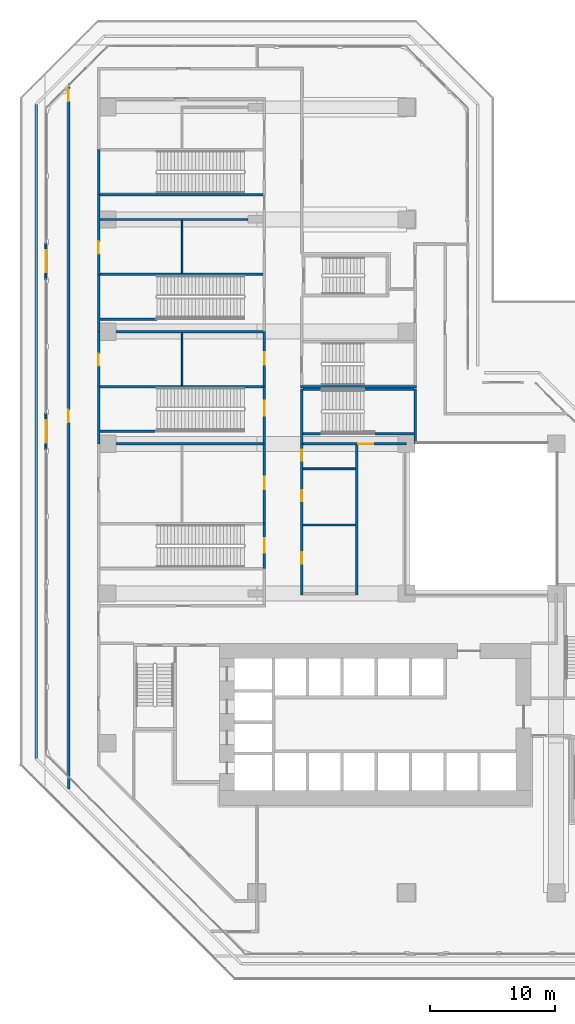
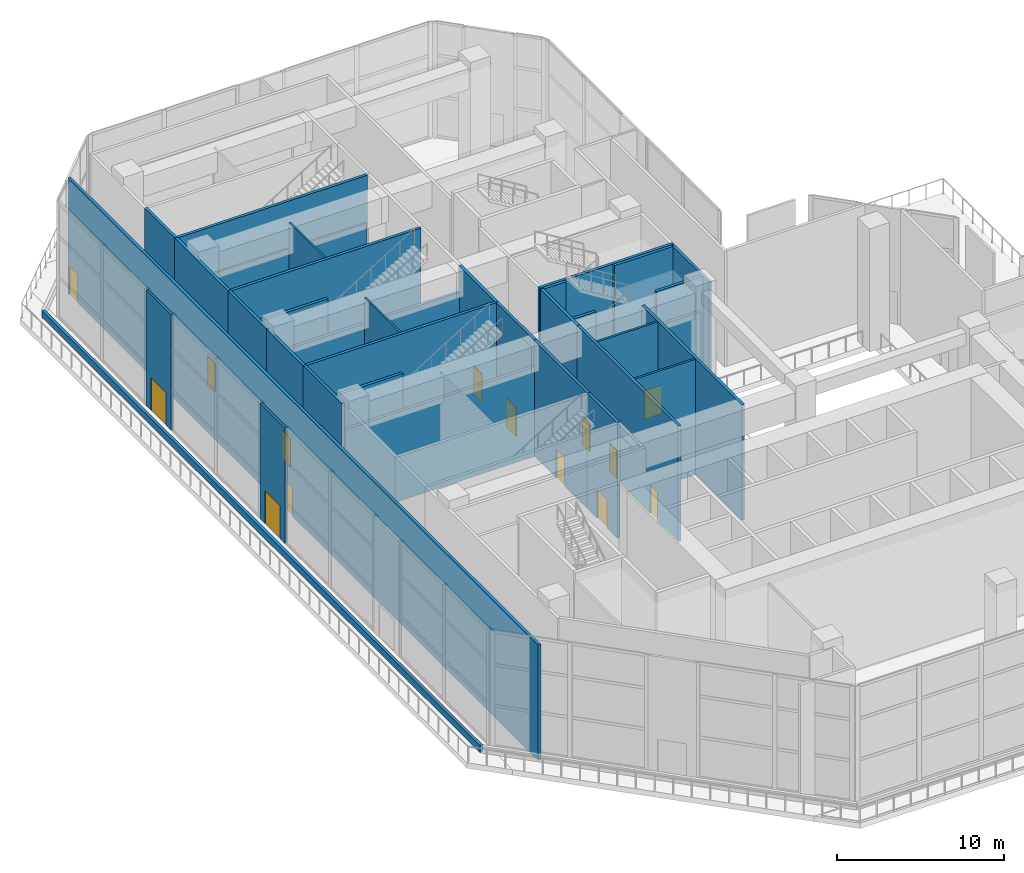
# One storey, part 15 of 28: 35 walls, 14 doors, 14 openings.
"""IFC4 building model written with IfcOpenShell, lengths in metres."""

from ifc_helpers import new_model, si_unit, direction, frame, frame_2d, origin, place, context, subcontext, project, spatial, rectangle, extrude, material, layer, layer_set, type_object, element, fill, save


model = new_model("IFC4")

# Units and contexts
model_context = context("Model", 3, precision=1e-05, world=origin(), true_north=direction((0.0, 1.0)))
body_context = subcontext(model_context, "Body", "Model", "MODEL_VIEW")
ifc_project = project(units=[si_unit("LENGTHUNIT", "METRE"), si_unit("AREAUNIT", "SQUARE_METRE"), si_unit("VOLUMEUNIT", "CUBIC_METRE"), si_unit("PLANEANGLEUNIT", "RADIAN"), si_unit("MASSUNIT", "GRAM", prefix="KILO")], contexts=[model_context])

# Site, building, storey
site_placement = place(None, origin())
site = spatial("IfcSite", under=ifc_project, at=site_placement, CompositionType="ELEMENT")
building_placement = place(site_placement, origin())
building = spatial("IfcBuilding", under=site, at=building_placement, Name="Chenar Terraces", CompositionType="ELEMENT")
storey_placement = place(building_placement, frame((0.0, 0.0, 26.39990234375)))
storey = spatial("IfcBuildingStorey", under=building, at=storey_placement, Name="L05", CompositionType="ELEMENT", Elevation=26.39990234375)

# Walls
ifc_material_1 = material(Name="Gypsum board on steel studs with mineral wool", Category="steel")
ifc_layer_1 = layer(ifc_material_1, 0.125)
ifc_layer_set_1 = layer_set([ifc_layer_1], Name="Gypsum board on steel studs with mineral wool")
wall_type_1 = type_object("IfcWallType", Name="Acoustic partition 125", PredefinedType="PARTITIONING", material=ifc_layer_set_1)
wall_1_placement = place(storey_placement, frame((-0.60009765625, 54.0, 0.0), z_axis=(0.0, 0.0, 1.0), x_axis=(1.0, 0.0, 0.0)))
element("IfcWall", 1, at=wall_1_placement, inside=storey, type_object=wall_type_1, Name="Partition L05-021", PredefinedType="PARTITIONING", context=body_context, shape_type="SweptSolid", body=[
    extrude(rectangle(XDim=11.900146484375, YDim=0.125, at=frame_2d((5.9501953125, 0.0))), origin(), (0.0, 0.0, 1.0), 6.550048828125),
])
wall_2_placement = place(storey_placement, frame((6.0, 40.699951171875, 0.0), z_axis=(0.0, 0.0, 1.0), x_axis=(0.0, 1.0, 0.0)))
element("IfcWall", 2, at=wall_2_placement, inside=storey, type_object=wall_type_1, Name="Partition L05-028", PredefinedType="PARTITIONING", context=body_context, shape_type="SweptSolid", body=[
    extrude(rectangle(XDim=4.199951171875, YDim=0.125, at=frame_2d((2.10009765625, 0.0))), origin(), (0.0, 0.0, 1.0), 8.4501953125),
])
wall_3_placement = place(storey_placement, frame((6.0, 49.699951171875, 0.0), z_axis=(0.0, 0.0, 1.0), x_axis=(0.0, 1.0, 0.0)))
element("IfcWall", 3, at=wall_3_placement, inside=storey, type_object=wall_type_1, Name="Partition L05-029", PredefinedType="PARTITIONING", context=body_context, shape_type="SweptSolid", body=[
    extrude(rectangle(XDim=4.238037109375, YDim=0.125, at=frame_2d((2.119140625, 0.0))), origin(), (0.0, 0.0, 1.0), 8.4501953125),
])

# Wall, openings, doors
ifc_material_2 = material(Name="Gypsum board on steel studs with fire boards", Category="steel")
ifc_layer_2 = layer(ifc_material_2, 0.199951171875)
ifc_layer_set_2 = layer_set([ifc_layer_2], Name="Gypsum board on steel studs with fire boards")
wall_type_2 = type_object("IfcWallType", Name="Corridor wall 200", PredefinedType="PARTITIONING", material=ifc_layer_set_2)
wall_4_placement = place(storey_placement, frame((-3.10009765625, 8.3017578125, 0.0), z_axis=(0.0, 0.0, 1.0), x_axis=(0.0, 1.0, 0.0)))
wall_4 = element("IfcWall", 4, at=wall_4_placement, inside=storey, type_object=wall_type_2, Name="Partition L05-001", PredefinedType="PARTITIONING", context=body_context, shape_type="SweptSolid", body=[
    extrude(rectangle(XDim=56.331298828125, YDim=0.199951171875, at=frame_2d((28.16552734375, 0.0))), origin(), (0.0, 0.0, 1.0), 8.4501953125),
])
opening_1_placement = place(wall_4_placement, frame((29.430908203125, 0.0, 0.0)))
opening_1 = element("IfcOpeningElement", 5, at=opening_1_placement, cuts=wall_4, Name="Opening DL05-25", PredefinedType="OPENING", context=body_context, shape_type="SweptSolid", body=[
    extrude(rectangle(XDim=1.0, YDim=2.10009765625, at=frame_2d((0.5, 1.050048828125))), frame((0.0, 0.10986328125, 0.0), z_axis=(0.0, -1.0, 0.0), x_axis=(1.0, 0.0, 0.0)), (0.0, 0.0, 1.0), 0.219970703125),
])
opening_2_placement = place(wall_4_placement, frame((55.180908203125, 0.0, 0.0)))
opening_2 = element("IfcOpeningElement", 6, at=opening_2_placement, cuts=wall_4, Name="Opening DL05-26", PredefinedType="OPENING", context=body_context, shape_type="SweptSolid", body=[
    extrude(rectangle(XDim=1.0, YDim=2.10009765625, at=frame_2d((0.5, 1.050048828125))), frame((0.0, 0.10986328125, 0.0), z_axis=(0.0, -1.0, 0.0), x_axis=(1.0, 0.0, 0.0)), (0.0, 0.0, 1.0), 0.219970703125),
])
ifc_material_3 = material(Name="Steel-framed fire-resisting door leaf", Category="steel")
door_type_1 = type_object("IfcDoorType", Name="Fire door FD60 1000 x 2100", OperationType="SINGLE_SWING_LEFT", PredefinedType="DOOR", material=ifc_material_3)
door_1_placement = place(opening_1_placement, origin())
door_1 = element("IfcDoor", 7, at=door_1_placement, inside=storey, type_object=door_type_1, Name="Door DL05-25", OperationType="SINGLE_SWING_RIGHT", OverallHeight=2.10009765625, OverallWidth=1.0, PredefinedType="DOOR", context=body_context, shape_type="SweptSolid", body=[
    extrude(rectangle(XDim=1.0, YDim=2.10009765625, at=frame_2d((0.5, 1.050048828125))), frame((0.0, 0.02490234375, 0.0), z_axis=(0.0, -1.0, 0.0), x_axis=(1.0, 0.0, 0.0)), (0.0, 0.0, 1.0), 0.050048828125),
])
fill(opening_1, door_1)
door_2_placement = place(opening_2_placement, origin())
door_2 = element("IfcDoor", 8, at=door_2_placement, inside=storey, type_object=door_type_1, Name="Door DL05-26", OperationType="SINGLE_SWING_RIGHT", OverallHeight=2.10009765625, OverallWidth=1.0, PredefinedType="DOOR", context=body_context, shape_type="SweptSolid", body=[
    extrude(rectangle(XDim=1.0, YDim=2.10009765625, at=frame_2d((0.5, 1.050048828125))), frame((0.0, 0.02490234375, 0.0), z_axis=(0.0, -1.0, 0.0), x_axis=(1.0, 0.0, 0.0)), (0.0, 0.0, 1.0), 0.050048828125),
])
fill(opening_2, door_2)

# Wall, opening, door
wall_5_placement = place(storey_placement, frame((-0.699951171875, 40.60009765625, 0.0), z_axis=(0.0, 0.0, 1.0), x_axis=(0.0, 1.0, 0.0)))
wall_5 = element("IfcWall", 9, at=wall_5_placement, inside=storey, type_object=wall_type_2, Name="Partition L05-007", PredefinedType="PARTITIONING", context=body_context, shape_type="SweptSolid", body=[
    extrude(rectangle(XDim=4.39990234375, YDim=0.199951171875, at=frame_2d((2.199951171875, 0.0))), origin(), (0.0, 0.0, 1.0), 8.4501953125),
])
opening_3_placement = place(wall_5_placement, frame((1.64990234375, 0.0, 0.0)))
opening_3 = element("IfcOpeningElement", 10, at=opening_3_placement, cuts=wall_5, Name="Opening DL05-11", PredefinedType="OPENING", context=body_context, shape_type="SweptSolid", body=[
    extrude(rectangle(XDim=1.0, YDim=2.10009765625, at=frame_2d((0.5, 1.050048828125))), frame((0.0, 0.10986328125, 0.0), z_axis=(0.0, -1.0, 0.0), x_axis=(1.0, 0.0, 0.0)), (0.0, 0.0, 1.0), 0.219970703125),
])
door_3_placement = place(opening_3_placement, frame((1.0, 0.0, 0.0), z_axis=(0.0, 0.0, 1.0), x_axis=(-1.0, 0.0, 0.0)))
door_3 = element("IfcDoor", 11, at=door_3_placement, inside=storey, type_object=door_type_1, Name="Door DL05-11", OperationType="SINGLE_SWING_LEFT", OverallHeight=2.10009765625, OverallWidth=1.0, PredefinedType="DOOR", context=body_context, shape_type="SweptSolid", body=[
    extrude(rectangle(XDim=1.0, YDim=2.10009765625, at=frame_2d((0.5, 1.050048828125))), frame((0.0, 0.02490234375, 0.0), z_axis=(0.0, -1.0, 0.0), x_axis=(1.0, 0.0, 0.0)), (0.0, 0.0, 1.0), 0.050048828125),
])
fill(opening_3, door_3)

wall_6_placement = place(storey_placement, frame((-0.699951171875, 49.60009765625, 0.0), z_axis=(0.0, 0.0, 1.0), x_axis=(0.0, 1.0, 0.0)))
wall_6 = element("IfcWall", 12, at=wall_6_placement, inside=storey, type_object=wall_type_2, Name="Partition L05-009", PredefinedType="PARTITIONING", context=body_context, shape_type="SweptSolid", body=[
    extrude(rectangle(XDim=6.39990234375, YDim=0.199951171875, at=frame_2d((3.199951171875, 0.0))), origin(), (0.0, 0.0, 1.0), 8.4501953125),
])
opening_4_placement = place(wall_6_placement, frame((1.64990234375, 0.0, 0.0)))
opening_4 = element("IfcOpeningElement", 13, at=opening_4_placement, cuts=wall_6, Name="Opening DL05-12", PredefinedType="OPENING", context=body_context, shape_type="SweptSolid", body=[
    extrude(rectangle(XDim=1.0, YDim=2.10009765625, at=frame_2d((0.5, 1.050048828125))), frame((0.0, 0.10986328125, 0.0), z_axis=(0.0, -1.0, 0.0), x_axis=(1.0, 0.0, 0.0)), (0.0, 0.0, 1.0), 0.219970703125),
])
door_4_placement = place(opening_4_placement, frame((1.0, 0.0, 0.0), z_axis=(0.0, 0.0, 1.0), x_axis=(-1.0, 0.0, 0.0)))
door_4 = element("IfcDoor", 14, at=door_4_placement, inside=storey, type_object=door_type_1, Name="Door DL05-12", OperationType="SINGLE_SWING_LEFT", OverallHeight=2.10009765625, OverallWidth=1.0, PredefinedType="DOOR", context=body_context, shape_type="SweptSolid", body=[
    extrude(rectangle(XDim=1.0, YDim=2.10009765625, at=frame_2d((0.5, 1.050048828125))), frame((0.0, 0.02490234375, 0.0), z_axis=(0.0, -1.0, 0.0), x_axis=(1.0, 0.0, 0.0)), (0.0, 0.0, 1.0), 0.050048828125),
])
fill(opening_4, door_4)

wall_7_placement = place(storey_placement, frame((12.60009765625, 29.60009765625, 0.0), z_axis=(0.0, 0.0, 1.0), x_axis=(0.0, 1.0, 0.0)))
wall_7 = element("IfcWall", 15, at=wall_7_placement, inside=storey, type_object=wall_type_2, Name="Partition L05-038", PredefinedType="PARTITIONING", context=body_context, shape_type="SweptSolid", body=[
    extrude(rectangle(XDim=6.39990234375, YDim=0.199951171875, at=frame_2d((3.199951171875, 0.0))), origin(), (0.0, 0.0, 1.0), 8.4501953125),
])
opening_5_placement = place(wall_7_placement, frame((2.75, 0.0, 0.0)))
opening_5 = element("IfcOpeningElement", 16, at=opening_5_placement, cuts=wall_7, Name="Opening DL05-5", PredefinedType="OPENING", context=body_context, shape_type="SweptSolid", body=[
    extrude(rectangle(XDim=1.0, YDim=2.10009765625, at=frame_2d((0.5, 1.050048828125))), frame((0.0, 0.10986328125, 0.0), z_axis=(0.0, -1.0, 0.0), x_axis=(1.0, 0.0, 0.0)), (0.0, 0.0, 1.0), 0.219970703125),
])
door_5_placement = place(opening_5_placement, origin())
door_5 = element("IfcDoor", 17, at=door_5_placement, inside=storey, type_object=door_type_1, Name="Door DL05-5", OperationType="SINGLE_SWING_RIGHT", OverallHeight=2.10009765625, OverallWidth=1.0, PredefinedType="DOOR", context=body_context, shape_type="SweptSolid", body=[
    extrude(rectangle(XDim=1.0, YDim=2.10009765625, at=frame_2d((0.5, 1.050048828125))), frame((0.0, 0.02490234375, 0.0), z_axis=(0.0, -1.0, 0.0), x_axis=(1.0, 0.0, 0.0)), (0.0, 0.0, 1.0), 0.050048828125),
])
fill(opening_5, door_5)

wall_8_placement = place(storey_placement, frame((12.60009765625, 40.60009765625, 0.0), z_axis=(0.0, 0.0, 1.0), x_axis=(0.0, 1.0, 0.0)))
wall_8 = element("IfcWall", 18, at=wall_8_placement, inside=storey, type_object=wall_type_2, Name="Partition L05-040", PredefinedType="PARTITIONING", context=body_context, shape_type="SweptSolid", body=[
    extrude(rectangle(XDim=4.39990234375, YDim=0.199951171875, at=frame_2d((2.199951171875, 0.0))), origin(), (0.0, 0.0, 1.0), 8.4501953125),
])
opening_6_placement = place(wall_8_placement, frame((1.75, 0.0, 0.0)))
opening_6 = element("IfcOpeningElement", 19, at=opening_6_placement, cuts=wall_8, Name="Opening DL05-6", PredefinedType="OPENING", context=body_context, shape_type="SweptSolid", body=[
    extrude(rectangle(XDim=1.0, YDim=2.10009765625, at=frame_2d((0.5, 1.050048828125))), frame((0.0, 0.10986328125, 0.0), z_axis=(0.0, -1.0, 0.0), x_axis=(1.0, 0.0, 0.0)), (0.0, 0.0, 1.0), 0.219970703125),
])
door_6_placement = place(opening_6_placement, origin())
door_6 = element("IfcDoor", 20, at=door_6_placement, inside=storey, type_object=door_type_1, Name="Door DL05-6", OperationType="SINGLE_SWING_RIGHT", OverallHeight=2.10009765625, OverallWidth=1.0, PredefinedType="DOOR", context=body_context, shape_type="SweptSolid", body=[
    extrude(rectangle(XDim=1.0, YDim=2.10009765625, at=frame_2d((0.5, 1.050048828125))), frame((0.0, 0.02490234375, 0.0), z_axis=(0.0, -1.0, 0.0), x_axis=(1.0, 0.0, 0.0)), (0.0, 0.0, 1.0), 0.050048828125),
])
fill(opening_6, door_6)

# Wall, openings, doors
wall_9_placement = place(storey_placement, frame((15.60009765625, 23.89990234375, 0.0), z_axis=(0.0, 0.0, 1.0), x_axis=(0.0, 1.0, 0.0)))
wall_9 = element("IfcWall", 21, at=wall_9_placement, inside=storey, type_object=wall_type_2, Name="Partition L05-046", PredefinedType="PARTITIONING", context=body_context, shape_type="SweptSolid", body=[
    extrude(rectangle(XDim=12.10009765625, YDim=0.199951171875, at=frame_2d((6.050048828125, 0.0))), origin(), (0.0, 0.0, 1.0), 8.4501953125),
])
opening_7_placement = place(wall_9_placement, frame((10.75, 0.0, 0.0)))
opening_7 = element("IfcOpeningElement", 22, at=opening_7_placement, cuts=wall_9, Name="Opening DL05-39", PredefinedType="OPENING", context=body_context, shape_type="SweptSolid", body=[
    extrude(rectangle(XDim=0.89990234375, YDim=2.10009765625, at=frame_2d((0.449951171875, 1.050048828125))), frame((0.0, 0.10986328125, 0.0), z_axis=(0.0, -1.0, 0.0), x_axis=(1.0, 0.0, 0.0)), (0.0, 0.0, 1.0), 0.219970703125),
])
opening_8_placement = place(wall_9_placement, frame((7.5, 0.0, 0.0)))
opening_8 = element("IfcOpeningElement", 23, at=opening_8_placement, cuts=wall_9, Name="Opening DL05-40", PredefinedType="OPENING", context=body_context, shape_type="SweptSolid", body=[
    extrude(rectangle(XDim=0.89990234375, YDim=2.10009765625, at=frame_2d((0.449951171875, 1.050048828125))), frame((0.0, 0.10986328125, 0.0), z_axis=(0.0, -1.0, 0.0), x_axis=(1.0, 0.0, 0.0)), (0.0, 0.0, 1.0), 0.219970703125),
])
opening_9_placement = place(wall_9_placement, frame((2.5, 0.0, 0.0)))
opening_9 = element("IfcOpeningElement", 24, at=opening_9_placement, cuts=wall_9, Name="Opening DL05-41", PredefinedType="OPENING", context=body_context, shape_type="SweptSolid", body=[
    extrude(rectangle(XDim=0.89990234375, YDim=2.10009765625, at=frame_2d((0.449951171875, 1.050048828125))), frame((0.0, 0.10986328125, 0.0), z_axis=(0.0, -1.0, 0.0), x_axis=(1.0, 0.0, 0.0)), (0.0, 0.0, 1.0), 0.219970703125),
])
ifc_material_4 = material(Name="Steel-framed fire-resisting door leaf", Category="steel")
door_type_2 = type_object("IfcDoorType", Name="Fire door FD60 900 x 2100", OperationType="SINGLE_SWING_LEFT", PredefinedType="DOOR", material=ifc_material_4)
door_7_placement = place(opening_7_placement, frame((0.89990234375, 0.0, 0.0), z_axis=(0.0, 0.0, 1.0), x_axis=(-1.0, 0.0, 0.0)))
door_7 = element("IfcDoor", 25, at=door_7_placement, inside=storey, type_object=door_type_2, Name="Door DL05-39", OperationType="SINGLE_SWING_LEFT", OverallHeight=2.10009765625, OverallWidth=0.89990234375, PredefinedType="DOOR", context=body_context, shape_type="SweptSolid", body=[
    extrude(rectangle(XDim=0.89990234375, YDim=2.10009765625, at=frame_2d((0.449951171875, 1.050048828125))), frame((0.0, 0.02490234375, 0.0), z_axis=(0.0, -1.0, 0.0), x_axis=(1.0, 0.0, 0.0)), (0.0, 0.0, 1.0), 0.050048828125),
])
fill(opening_7, door_7)
door_8_placement = place(opening_8_placement, frame((0.89990234375, 0.0, 0.0), z_axis=(0.0, 0.0, 1.0), x_axis=(-1.0, 0.0, 0.0)))
door_8 = element("IfcDoor", 26, at=door_8_placement, inside=storey, type_object=door_type_2, Name="Door DL05-40", OperationType="SINGLE_SWING_RIGHT", OverallHeight=2.10009765625, OverallWidth=0.89990234375, PredefinedType="DOOR", context=body_context, shape_type="SweptSolid", body=[
    extrude(rectangle(XDim=0.89990234375, YDim=2.10009765625, at=frame_2d((0.449951171875, 1.050048828125))), frame((0.0, 0.02490234375, 0.0), z_axis=(0.0, -1.0, 0.0), x_axis=(1.0, 0.0, 0.0)), (0.0, 0.0, 1.0), 0.050048828125),
])
fill(opening_8, door_8)
door_9_placement = place(opening_9_placement, frame((0.89990234375, 0.0, 0.0), z_axis=(0.0, 0.0, 1.0), x_axis=(-1.0, 0.0, 0.0)))
door_9 = element("IfcDoor", 27, at=door_9_placement, inside=storey, type_object=door_type_2, Name="Door DL05-41", OperationType="SINGLE_SWING_RIGHT", OverallHeight=2.10009765625, OverallWidth=0.89990234375, PredefinedType="DOOR", context=body_context, shape_type="SweptSolid", body=[
    extrude(rectangle(XDim=0.89990234375, YDim=2.10009765625, at=frame_2d((0.449951171875, 1.050048828125))), frame((0.0, 0.02490234375, 0.0), z_axis=(0.0, -1.0, 0.0), x_axis=(1.0, 0.0, 0.0)), (0.0, 0.0, 1.0), 0.050048828125),
])
fill(opening_9, door_9)

# Wall
wall_10_placement = place(storey_placement, frame((20.0, 23.89990234375, 0.0), z_axis=(0.0, 0.0, 1.0), x_axis=(0.0, 1.0, 0.0)))
element("IfcWall", 28, at=wall_10_placement, inside=storey, type_object=wall_type_2, Name="Partition L05-056", PredefinedType="PARTITIONING", context=body_context, shape_type="SweptSolid", body=[
    extrude(rectangle(XDim=12.0, YDim=0.199951171875, at=frame_2d((6.0, 0.0))), origin(), (0.0, 0.0, 1.0), 8.4501953125),
])

# Wall, opening, door
ifc_material_5 = material(Name="Aluminium framed glazing", Category="aluminium")
ifc_layer_3 = layer(ifc_material_5, 0.14990234375)
ifc_layer_set_3 = layer_set([ifc_layer_3], Name="Aluminium framed glazing")
wall_type_3 = type_object("IfcWallType", Name="Podium glazed wall 150", PredefinedType="SOLIDWALL", material=ifc_layer_set_3)
wall_11_placement = place(storey_placement, frame((-4.925048828125, 52.14990234375, 0.0), z_axis=(0.0, 0.0, 1.0), x_axis=(0.0, -1.0, 0.0)))
wall_11 = element("IfcWall", 29, at=wall_11_placement, inside=storey, type_object=wall_type_3, Name="Podium glazed wall", PredefinedType="SOLIDWALL", context=body_context, shape_type="SweptSolid", body=[
    extrude(rectangle(XDim=3.0, YDim=0.14990234375, at=frame_2d((1.5, 0.0))), origin(), (0.0, 0.0, 1.0), 8.4501953125),
])
opening_10_placement = place(wall_11_placement, frame((0.60009765625, 0.0, 0.0)))
opening_10 = element("IfcOpeningElement", 30, at=opening_10_placement, cuts=wall_11, Name="Opening DL05-T1", PredefinedType="OPENING", context=body_context, shape_type="SweptSolid", body=[
    extrude(rectangle(XDim=1.800048828125, YDim=2.39990234375, at=frame_2d((0.89990234375, 1.199951171875))), frame((0.0, 0.0849609375, 0.0), z_axis=(0.0, -1.0, 0.0), x_axis=(1.0, 0.0, 0.0)), (0.0, 0.0, 1.0), 0.169921875),
])
ifc_material_6 = material(Name="Low emissivity double glazing, aluminium frame", Category="aluminium")
door_type_3 = type_object("IfcDoorType", Name="Terrace glazed double door 1800 x 2400", OperationType="DOUBLE_DOOR_SINGLE_SWING", PredefinedType="DOOR", material=ifc_material_6)
door_10_placement = place(opening_10_placement, frame((1.800048828125, 0.0, 0.0), z_axis=(0.0, 0.0, 1.0), x_axis=(-1.0, 0.0, 0.0)))
door_10 = element("IfcDoor", 31, at=door_10_placement, inside=storey, type_object=door_type_3, Name="Terrace glazed door", OperationType="DOUBLE_DOOR_SINGLE_SWING", OverallHeight=2.39990234375, OverallWidth=1.800048828125, PredefinedType="DOOR", context=body_context, shape_type="SweptSolid", body=[
    extrude(rectangle(XDim=1.800048828125, YDim=2.39990234375, at=frame_2d((0.89990234375, 1.199951171875))), frame((0.0, 0.02490234375, 0.0), z_axis=(0.0, -1.0, 0.0), x_axis=(1.0, 0.0, 0.0)), (0.0, 0.0, 1.0), 0.050048828125),
])
fill(opening_10, door_10)

wall_12_placement = place(storey_placement, frame((-4.925048828125, 38.5, 0.0), z_axis=(0.0, 0.0, 1.0), x_axis=(0.0, -1.0, 0.0)))
wall_12 = element("IfcWall", 32, at=wall_12_placement, inside=storey, type_object=wall_type_3, Name="Podium glazed wall", PredefinedType="SOLIDWALL", context=body_context, shape_type="SweptSolid", body=[
    extrude(rectangle(XDim=3.0, YDim=0.14990234375, at=frame_2d((1.5, 0.0))), origin(), (0.0, 0.0, 1.0), 8.4501953125),
])
opening_11_placement = place(wall_12_placement, frame((0.60009765625, 0.0, 0.0)))
opening_11 = element("IfcOpeningElement", 33, at=opening_11_placement, cuts=wall_12, Name="Opening DL05-T2", PredefinedType="OPENING", context=body_context, shape_type="SweptSolid", body=[
    extrude(rectangle(XDim=1.800048828125, YDim=2.39990234375, at=frame_2d((0.89990234375, 1.199951171875))), frame((0.0, 0.0849609375, 0.0), z_axis=(0.0, -1.0, 0.0), x_axis=(1.0, 0.0, 0.0)), (0.0, 0.0, 1.0), 0.169921875),
])
door_11_placement = place(opening_11_placement, frame((1.800048828125, 0.0, 0.0), z_axis=(0.0, 0.0, 1.0), x_axis=(-1.0, 0.0, 0.0)))
door_11 = element("IfcDoor", 34, at=door_11_placement, inside=storey, type_object=door_type_3, Name="Terrace glazed door", OperationType="DOUBLE_DOOR_SINGLE_SWING", OverallHeight=2.39990234375, OverallWidth=1.800048828125, PredefinedType="DOOR", context=body_context, shape_type="SweptSolid", body=[
    extrude(rectangle(XDim=1.800048828125, YDim=2.39990234375, at=frame_2d((0.89990234375, 1.199951171875))), frame((0.0, 0.02490234375, 0.0), z_axis=(0.0, -1.0, 0.0), x_axis=(1.0, 0.0, 0.0)), (0.0, 0.0, 1.0), 0.050048828125),
])
fill(opening_11, door_11)

# Walls
ifc_material_7 = material(Name="Reinforced concrete C40/50", Category="concrete")
ifc_layer_4 = layer(ifc_material_7, 0.199951171875)
ifc_layer_set_4 = layer_set([ifc_layer_4], Name="Reinforced concrete C40/50")
wall_type_4 = type_object("IfcWallType", Name="Stair enclosure wall 200 concrete", PredefinedType="SOLIDWALL", material=ifc_layer_set_4)
for number, where, z_axis, x_axis, name in (
    (35, (-0.699951171875, 36.0, 0.0), (0.0, 0.0, 1.0), (0.0, 1.0, 0.0), "Stair enclosure wall L05-006"),
    (36, (-0.699951171875, 45.0, 0.0), (0.0, 0.0, 1.0), (0.0, 1.0, 0.0), "Stair enclosure wall L05-008"),
):
    element("IfcWall", number, at=place(storey_placement, frame(where, z_axis=z_axis, x_axis=x_axis)), inside=storey, type_object=wall_type_4, Name=name, PredefinedType="SOLIDWALL", context=body_context, shape_type="SweptSolid", body=[
        extrude(rectangle(XDim=4.60009765625, YDim=0.199951171875, at=frame_2d((2.300048828125, 0.0))), origin(), (0.0, 0.0, 1.0), 8.4501953125),
    ])
wall_13_placement = place(storey_placement, frame((-0.699951171875, 56.0, 0.0), z_axis=(0.0, 0.0, 1.0), x_axis=(0.0, 1.0, 0.0)))
element("IfcWall", 37, at=wall_13_placement, inside=storey, type_object=wall_type_4, Name="Stair enclosure wall L05-010", PredefinedType="SOLIDWALL", context=body_context, shape_type="SweptSolid", body=[
    extrude(rectangle(XDim=3.60009765625, YDim=0.199951171875, at=frame_2d((1.800048828125, 0.0))), origin(), (0.0, 0.0, 1.0), 8.4501953125),
])
wall_14_placement = place(storey_placement, frame((-0.60009765625, 36.0, 0.0), z_axis=(0.0, 0.0, 1.0), x_axis=(1.0, 0.0, 0.0)))
element("IfcWall", 38, at=wall_14_placement, inside=storey, type_object=wall_type_4, Name="Stair enclosure wall L05-017", PredefinedType="SOLIDWALL", context=body_context, shape_type="SweptSolid", body=[
    extrude(rectangle(XDim=13.10009765625, YDim=0.199951171875, at=frame_2d((6.550048828125, 0.0))), origin(), (0.0, 0.0, 1.0), 6.550048828125),
])
wall_15_placement = place(storey_placement, frame((-0.60009765625, 40.60009765625, 0.0), z_axis=(0.0, 0.0, 1.0), x_axis=(1.0, 0.0, 0.0)))
element("IfcWall", 39, at=wall_15_placement, inside=storey, type_object=wall_type_4, Name="Stair enclosure wall L05-018", PredefinedType="SOLIDWALL", context=body_context, shape_type="SweptSolid", body=[
    extrude(rectangle(XDim=13.10009765625, YDim=0.199951171875, at=frame_2d((6.550048828125, 0.0))), origin(), (0.0, 0.0, 1.0), 8.4501953125),
])
wall_16_placement = place(storey_placement, frame((-0.60009765625, 45.0, 0.0), z_axis=(0.0, 0.0, 1.0), x_axis=(1.0, 0.0, 0.0)))
element("IfcWall", 40, at=wall_16_placement, inside=storey, type_object=wall_type_4, Name="Stair enclosure wall L05-019", PredefinedType="SOLIDWALL", context=body_context, shape_type="SweptSolid", body=[
    extrude(rectangle(XDim=13.10009765625, YDim=0.199951171875, at=frame_2d((6.550048828125, 0.0))), origin(), (0.0, 0.0, 1.0), 6.550048828125),
])
for number, where, z_axis, x_axis, name in (
    (41, (-0.60009765625, 49.60009765625, 0.0), (0.0, 0.0, 1.0), (1.0, 0.0, 0.0), "Stair enclosure wall L05-020"),
    (42, (-0.60009765625, 56.0, 0.0), (0.0, 0.0, 1.0), (1.0, 0.0, 0.0), "Stair enclosure wall L05-022"),
):
    element("IfcWall", number, at=place(storey_placement, frame(where, z_axis=z_axis, x_axis=x_axis)), inside=storey, type_object=wall_type_4, Name=name, PredefinedType="SOLIDWALL", context=body_context, shape_type="SweptSolid", body=[
        extrude(rectangle(XDim=13.10009765625, YDim=0.199951171875, at=frame_2d((6.550048828125, 0.0))), origin(), (0.0, 0.0, 1.0), 8.4501953125),
    ])

# Wall, opening, door
wall_17_placement = place(storey_placement, frame((12.60009765625, 26.0, 0.0), z_axis=(0.0, 0.0, 1.0), x_axis=(0.0, 1.0, 0.0)))
wall_17 = element("IfcWall", 43, at=wall_17_placement, inside=storey, type_object=wall_type_4, Name="Stair enclosure wall L05-037", PredefinedType="SOLIDWALL", context=body_context, shape_type="SweptSolid", body=[
    extrude(rectangle(XDim=3.60009765625, YDim=0.199951171875, at=frame_2d((1.800048828125, 0.0))), origin(), (0.0, 0.0, 1.0), 8.4501953125),
])
opening_12_placement = place(wall_17_placement, frame((1.25, 0.0, 0.0)))
opening_12 = element("IfcOpeningElement", 44, at=opening_12_placement, cuts=wall_17, Name="Opening DL05-34", PredefinedType="OPENING", context=body_context, shape_type="SweptSolid", body=[
    extrude(rectangle(XDim=1.199951171875, YDim=2.10009765625, at=frame_2d((0.60009765625, 1.050048828125))), frame((0.0, 0.10986328125, 0.0), z_axis=(0.0, -1.0, 0.0), x_axis=(1.0, 0.0, 0.0)), (0.0, 0.0, 1.0), 0.219970703125),
])
ifc_material_8 = material(Name="Steel-framed fire-resisting door leaf", Category="steel")
door_type_4 = type_object("IfcDoorType", Name="Fire door FD120 1200 x 2100", OperationType="SINGLE_SWING_LEFT", PredefinedType="DOOR", material=ifc_material_8)
door_12_placement = place(opening_12_placement, origin())
door_12 = element("IfcDoor", 45, at=door_12_placement, inside=storey, type_object=door_type_4, Name="Door DL05-34", OperationType="SINGLE_SWING_RIGHT", OverallHeight=2.10009765625, OverallWidth=1.199951171875, PredefinedType="DOOR", context=body_context, shape_type="SweptSolid", body=[
    extrude(rectangle(XDim=1.199951171875, YDim=2.10009765625, at=frame_2d((0.60009765625, 1.050048828125))), frame((0.0, 0.02490234375, 0.0), z_axis=(0.0, -1.0, 0.0), x_axis=(1.0, 0.0, 0.0)), (0.0, 0.0, 1.0), 0.050048828125),
])
fill(opening_12, door_12)

wall_18_placement = place(storey_placement, frame((12.60009765625, 36.0, 0.0), z_axis=(0.0, 0.0, 1.0), x_axis=(0.0, 1.0, 0.0)))
wall_18 = element("IfcWall", 46, at=wall_18_placement, inside=storey, type_object=wall_type_4, Name="Stair enclosure wall L05-039", PredefinedType="SOLIDWALL", context=body_context, shape_type="SweptSolid", body=[
    extrude(rectangle(XDim=4.60009765625, YDim=0.199951171875, at=frame_2d((2.300048828125, 0.0))), origin(), (0.0, 0.0, 1.0), 8.4501953125),
])
opening_13_placement = place(wall_18_placement, frame((2.25, 0.0, 0.0)))
opening_13 = element("IfcOpeningElement", 47, at=opening_13_placement, cuts=wall_18, Name="Opening DL05-38", PredefinedType="OPENING", context=body_context, shape_type="SweptSolid", body=[
    extrude(rectangle(XDim=1.199951171875, YDim=2.10009765625, at=frame_2d((0.60009765625, 1.050048828125))), frame((0.0, 0.10986328125, 0.0), z_axis=(0.0, -1.0, 0.0), x_axis=(1.0, 0.0, 0.0)), (0.0, 0.0, 1.0), 0.219970703125),
])
door_13_placement = place(opening_13_placement, origin())
door_13 = element("IfcDoor", 48, at=door_13_placement, inside=storey, type_object=door_type_4, Name="Door DL05-38", OperationType="SINGLE_SWING_RIGHT", OverallHeight=2.10009765625, OverallWidth=1.199951171875, PredefinedType="DOOR", context=body_context, shape_type="SweptSolid", body=[
    extrude(rectangle(XDim=1.199951171875, YDim=2.10009765625, at=frame_2d((0.60009765625, 1.050048828125))), frame((0.0, 0.02490234375, 0.0), z_axis=(0.0, -1.0, 0.0), x_axis=(1.0, 0.0, 0.0)), (0.0, 0.0, 1.0), 0.050048828125),
])
fill(opening_13, door_13)

# Walls
wall_19_placement = place(storey_placement, frame((15.5, 40.60009765625, 0.0), z_axis=(0.0, 0.0, 1.0), x_axis=(1.0, 0.0, 0.0)))
element("IfcWall", 49, at=wall_19_placement, inside=storey, type_object=wall_type_4, Name="Stair enclosure wall L05-045", PredefinedType="SOLIDWALL", context=body_context, shape_type="SweptSolid", body=[
    extrude(rectangle(XDim=9.300048828125, YDim=0.199951171875, at=frame_2d((4.64990234375, 0.0))), origin(), (0.0, 0.0, 1.0), 8.4501953125),
])
wall_20_placement = place(storey_placement, frame((15.60009765625, 36.0, 0.0), z_axis=(0.0, 0.0, 1.0), x_axis=(0.0, 1.0, 0.0)))
element("IfcWall", 50, at=wall_20_placement, inside=storey, type_object=wall_type_4, Name="Stair enclosure wall L05-047", PredefinedType="SOLIDWALL", context=body_context, shape_type="SweptSolid", body=[
    extrude(rectangle(XDim=4.39990234375, YDim=0.199951171875, at=frame_2d((2.199951171875, 0.0))), origin(), (0.0, 0.0, 1.0), 8.4501953125),
])

# Wall, opening, door
wall_21_placement = place(storey_placement, frame((15.699951171875, 36.0, 0.0), z_axis=(0.0, 0.0, 1.0), x_axis=(1.0, 0.0, 0.0)))
wall_21 = element("IfcWall", 51, at=wall_21_placement, inside=storey, type_object=wall_type_4, Name="Stair enclosure wall L05-054", PredefinedType="SOLIDWALL", context=body_context, shape_type="SweptSolid", body=[
    extrude(rectangle(XDim=8.300048828125, YDim=0.199951171875, at=frame_2d((4.14990234375, 0.0))), origin(), (0.0, 0.0, 1.0), 6.550048828125),
])
opening_14_placement = place(wall_21_placement, frame((4.449951171875, 0.0, 0.0)))
opening_14 = element("IfcOpeningElement", 52, at=opening_14_placement, cuts=wall_21, Name="Opening DL05-36", PredefinedType="OPENING", context=body_context, shape_type="SweptSolid", body=[
    extrude(rectangle(XDim=1.199951171875, YDim=2.10009765625, at=frame_2d((0.60009765625, 1.050048828125))), frame((0.0, 0.10986328125, 0.0), z_axis=(0.0, -1.0, 0.0), x_axis=(1.0, 0.0, 0.0)), (0.0, 0.0, 1.0), 0.219970703125),
])
door_14_placement = place(opening_14_placement, origin())
door_14 = element("IfcDoor", 53, at=door_14_placement, inside=storey, type_object=door_type_4, Name="Door DL05-36", OperationType="SINGLE_SWING_RIGHT", OverallHeight=2.10009765625, OverallWidth=1.199951171875, PredefinedType="DOOR", context=body_context, shape_type="SweptSolid", body=[
    extrude(rectangle(XDim=1.199951171875, YDim=2.10009765625, at=frame_2d((0.60009765625, 1.050048828125))), frame((0.0, 0.02490234375, 0.0), z_axis=(0.0, -1.0, 0.0), x_axis=(1.0, 0.0, 0.0)), (0.0, 0.0, 1.0), 0.050048828125),
])
fill(opening_14, door_14)

# Walls
wall_22_placement = place(storey_placement, frame((24.699951171875, 36.0, 0.0), z_axis=(0.0, 0.0, 1.0), x_axis=(0.0, 1.0, 0.0)))
element("IfcWall", 54, at=wall_22_placement, inside=storey, type_object=wall_type_4, Name="Stair enclosure wall L05-058", PredefinedType="SOLIDWALL", context=body_context, shape_type="SweptSolid", body=[
    extrude(rectangle(XDim=4.39990234375, YDim=0.199951171875, at=frame_2d((2.199951171875, 0.0))), origin(), (0.0, 0.0, 1.0), 8.4501953125),
])
wall_23_placement = place(storey_placement, frame((-0.60009765625, 46.0, 0.0), z_axis=(0.0, 0.0, 1.0), x_axis=(1.0, 0.0, 0.0)))
element("IfcWall", 55, at=wall_23_placement, inside=storey, type_object=wall_type_4, Name="Stair enclosure wall L05-PS4-029", PredefinedType="SOLIDWALL", context=body_context, shape_type="SweptSolid", body=[
    extrude(rectangle(XDim=4.585205078125, YDim=0.199951171875, at=frame_2d((2.29248046875, 0.0))), origin(), (0.0, 0.0, 1.0), 8.4501953125),
])
wall_24_placement = place(storey_placement, frame((21.39990234375, 36.800048828125, 0.0), z_axis=(0.0, 0.0, 1.0), x_axis=(1.0, 0.0, 0.0)))
element("IfcWall", 56, at=wall_24_placement, inside=storey, type_object=wall_type_4, Name="Stair enclosure wall L05-PS7-050", PredefinedType="SOLIDWALL", context=body_context, shape_type="SweptSolid", body=[
    extrude(rectangle(XDim=3.2001953125, YDim=0.199951171875, at=frame_2d((1.60009765625, 0.0))), origin(), (0.0, 0.0, 1.0), 8.4501953125),
])
wall_25_placement = place(storey_placement, frame((20.574951171875, 40.39990234375, 0.0), z_axis=(0.0, 0.0, 1.0), x_axis=(1.0, 0.0, 0.0)))
element("IfcWall", 57, at=wall_25_placement, inside=storey, type_object=wall_type_4, Name="Stair enclosure wall L05-PS7-051", PredefinedType="SOLIDWALL", context=body_context, shape_type="SweptSolid", body=[
    extrude(rectangle(XDim=4.025146484375, YDim=0.199951171875, at=frame_2d((2.0126953125, 0.0))), origin(), (0.0, 0.0, 1.0), 8.4501953125),
])
for number, where, z_axis, x_axis, name in (
    (58, (15.699951171875, 36.800048828125, 0.0), (0.0, 0.0, 1.0), (1.0, 0.0, 0.0), "Stair enclosure wall L05-PS7-052"),
    (59, (15.699951171875, 40.39990234375, 0.0), (0.0, 0.0, 1.0), (1.0, 0.0, 0.0), "Stair enclosure wall L05-PS7-058"),
):
    element("IfcWall", number, at=place(storey_placement, frame(where, z_axis=z_axis, x_axis=x_axis)), inside=storey, type_object=wall_type_4, Name=name, PredefinedType="SOLIDWALL", context=body_context, shape_type="SweptSolid", body=[
        extrude(rectangle(XDim=1.51513671875, YDim=0.199951171875, at=frame_2d((0.757568359375, 0.0))), origin(), (0.0, 0.0, 1.0), 8.4501953125),
    ])
wall_26_placement = place(storey_placement, frame((-0.60009765625, 37.0, 0.0), z_axis=(0.0, 0.0, 1.0), x_axis=(1.0, 0.0, 0.0)))
element("IfcWall", 60, at=wall_26_placement, inside=storey, type_object=wall_type_4, Name="Stair enclosure wall L05-PS9-069", PredefinedType="SOLIDWALL", context=body_context, shape_type="SweptSolid", body=[
    extrude(rectangle(XDim=4.585205078125, YDim=0.199951171875, at=frame_2d((2.29248046875, 0.0))), origin(), (0.0, 0.0, 1.0), 8.4501953125),
])
ifc_material_9 = material(Name="Terracotta cladding on insulated backing", Category="masonry")
ifc_layer_5 = layer(ifc_material_9, 0.199951171875)
ifc_layer_set_5 = layer_set([ifc_layer_5], Name="Terracotta cladding on insulated backing")
wall_type_5 = type_object("IfcWallType", Name="Terrace parapet upstand 200", PredefinedType="PARAPET", material=ifc_layer_set_5)
wall_27_placement = place(storey_placement, frame((-5.699951171875, 10.76025390625, 0.0), z_axis=(0.0, 0.0, 1.0), x_axis=(0.0, 1.0, 0.0)))
element("IfcWall", 61, at=wall_27_placement, inside=storey, type_object=wall_type_5, Name="Terrace parapet", PredefinedType="PARAPET", context=body_context, shape_type="SweptSolid", body=[
    extrude(rectangle(XDim=52.4794921875, YDim=0.199951171875, at=frame_2d((26.23974609375, 0.0))), origin(), (0.0, 0.0, 1.0), 0.5),
])
ifc_material_10 = material(Name="Moisture-resistant gypsum board on steel studs", Category="steel")
ifc_layer_6 = layer(ifc_material_10, 0.14990234375)
ifc_layer_set_6 = layer_set([ifc_layer_6], Name="Moisture-resistant gypsum board on steel studs")
wall_type_6 = type_object("IfcWallType", Name="Wet-room partition 150", PredefinedType="PARTITIONING", material=ifc_layer_set_6)
for number, where, z_axis, x_axis, name in (
    (62, (15.699951171875, 29.5, 0.0), (0.0, 0.0, 1.0), (1.0, 0.0, 0.0), "Partition L05-052"),
    (63, (15.699951171875, 34.0, 0.0), (0.0, 0.0, 1.0), (1.0, 0.0, 0.0), "Partition L05-053"),
):
    element("IfcWall", number, at=place(storey_placement, frame(where, z_axis=z_axis, x_axis=x_axis)), inside=storey, type_object=wall_type_6, Name=name, PredefinedType="PARTITIONING", context=body_context, shape_type="SweptSolid", body=[
        extrude(rectangle(XDim=4.199951171875, YDim=0.14990234375, at=frame_2d((2.10009765625, 0.0))), origin(), (0.0, 0.0, 1.0), 8.4501953125),
    ])

save(model, "model.ifc")
